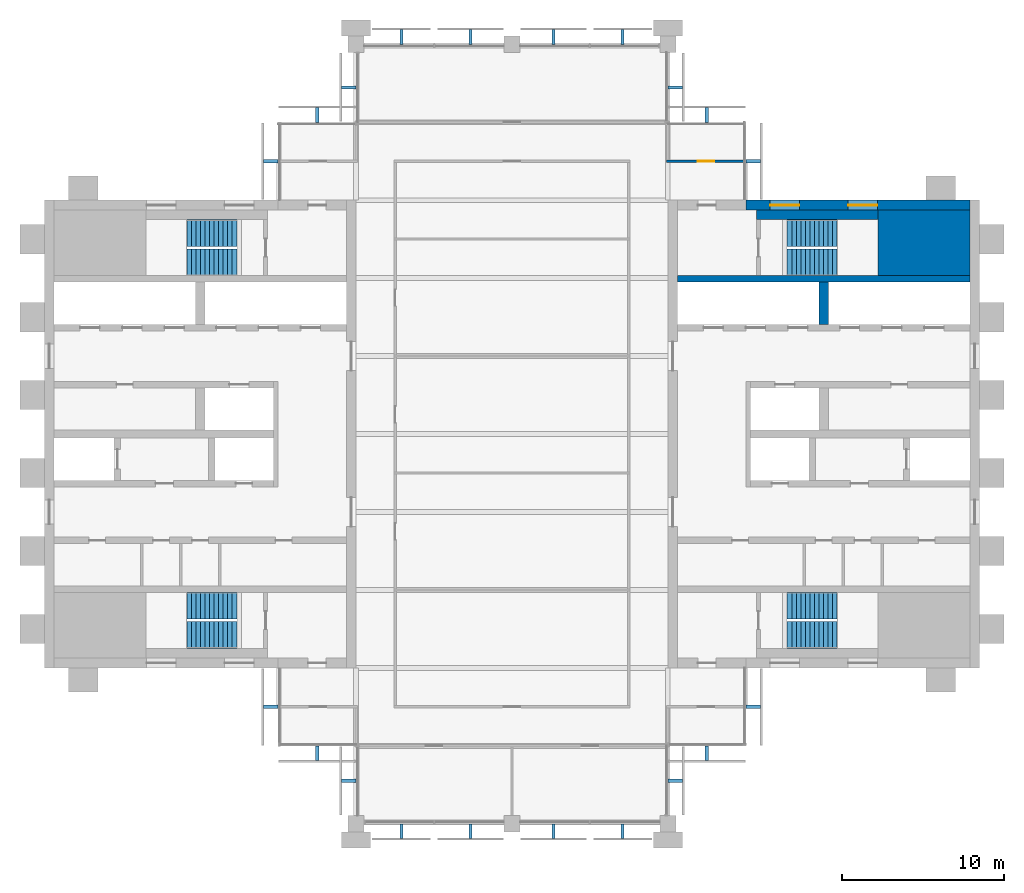
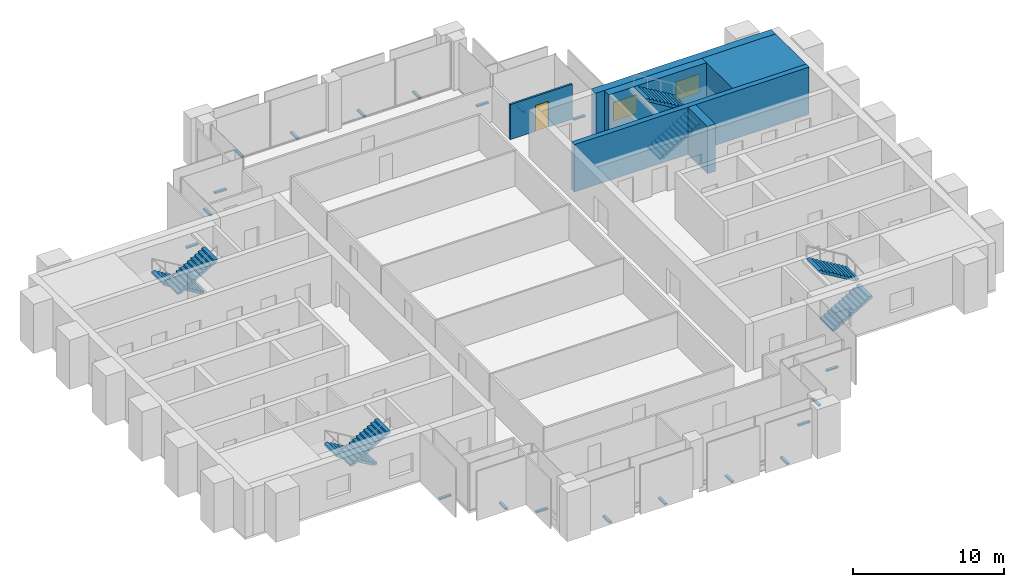
# One storey, part 11 of 12: 20 discrete accessories, 8 stair flights, 6 walls, 2 windows, 1 door, 3 openings, 4 elements without a shape of their own.
"""IFC4 building model written with IfcOpenShell, lengths in metres."""

from ifc_helpers import new_model, si_unit, direction, frame, frame_2d, origin, origin_2d, place, context, subcontext, project, spatial, polyline, rectangle, outline, extrude, material, layer, layer_set, type_object, element, fill, aggregate, save


model = new_model("IFC4")

# Units and contexts
model_context = context("Model", 3, precision=1e-05, world=origin(), true_north=direction((0.0, 1.0)))
body_context = subcontext(model_context, "Body", "Model", "MODEL_VIEW")
ifc_project = project(units=[si_unit("LENGTHUNIT", "METRE"), si_unit("AREAUNIT", "SQUARE_METRE"), si_unit("VOLUMEUNIT", "CUBIC_METRE"), si_unit("PLANEANGLEUNIT", "RADIAN"), si_unit("MASSUNIT", "GRAM", prefix="KILO")], contexts=[model_context])

# Site, building, storey
site_placement = place(None, origin())
site = spatial("IfcSite", under=ifc_project, at=site_placement, CompositionType="ELEMENT")
building_placement = place(site_placement, origin())
building = spatial("IfcBuilding", under=site, at=building_placement, Name="Baori Bourse Tower", CompositionType="ELEMENT")
storey_placement = place(building_placement, frame((0.0, 0.0, 322.300048828125)))
storey = spatial("IfcBuildingStorey", under=building, at=storey_placement, Name="L71", CompositionType="ELEMENT", Elevation=322.300048828125)

# Wall
ifc_material_1 = material(Name="Concrete f'c 40 MPa", Category="concrete")
wall_type_1 = type_object("IfcWallType", Name="Core corner block f'c 40", PredefinedType="SHEAR", material=ifc_material_1)
wall_1_placement = place(storey_placement, frame((51.35009765625, 35.77490234375, 0.0), z_axis=(0.0, 0.0, 1.0), x_axis=(1.0, 0.0, 0.0)))
element("IfcWall", 1, at=wall_1_placement, inside=storey, type_object=wall_type_1, Name="Core wall E23", PredefinedType="SHEAR", context=body_context, shape_type="SweptSolid", body=[
    extrude(rectangle(XDim=5.64990234375, YDim=4.050048828125, at=frame_2d((2.824951171875, 0.0))), origin(), (0.0, 0.0, 1.0), 3.83984375),
])

# Wall, openings, windows
ifc_material_2 = material(Name="Concrete f'c 40 MPa", Category="concrete")
ifc_layer_1 = layer(ifc_material_2, 0.60009765625)
ifc_layer_set_1 = layer_set([ifc_layer_1], Name="Core wall 600 f'c 40")
wall_type_2 = type_object("IfcWallType", Name="Core wall 600 f'c 40", PredefinedType="SHEAR", material=ifc_layer_set_1)
wall_2_placement = place(storey_placement, frame((43.199951171875, 38.10009765625, 0.0), z_axis=(0.0, 0.0, 1.0), x_axis=(1.0, 0.0, 0.0)))
wall_2 = element("IfcWall", 2, at=wall_2_placement, inside=storey, type_object=wall_type_2, Name="Core wall E26", PredefinedType="SHEAR", context=body_context, shape_type="SweptSolid", body=[
    extrude(rectangle(XDim=13.800048828125, YDim=0.60009765625, at=frame_2d((6.89990234375, 0.0))), origin(), (0.0, 0.0, 1.0), 3.83984375),
])
opening_1_placement = place(wall_2_placement, frame((6.300048828125, 0.0, 0.89990234375)))
opening_1 = element("IfcOpeningElement", 3, at=opening_1_placement, cuts=wall_2, Name="Opening L71-KW205", PredefinedType="OPENING", context=body_context, shape_type="SweptSolid", body=[
    extrude(rectangle(XDim=1.800048828125, YDim=1.5, at=frame_2d((0.89990234375, 0.75))), frame((0.0, 0.31005859375, 0.0), z_axis=(0.0, -1.0, 0.0), x_axis=(1.0, 0.0, 0.0)), (0.0, 0.0, 1.0), 0.6201171875),
])
opening_2_placement = place(wall_2_placement, frame((1.5, 0.0, 0.89990234375)))
opening_2 = element("IfcOpeningElement", 4, at=opening_2_placement, cuts=wall_2, Name="Opening L71-KW206", PredefinedType="OPENING", context=body_context, shape_type="SweptSolid", body=[
    extrude(rectangle(XDim=1.800048828125, YDim=1.5, at=frame_2d((0.89990234375, 0.75))), frame((0.0, 0.31005859375, 0.0), z_axis=(0.0, -1.0, 0.0), x_axis=(1.0, 0.0, 0.0)), (0.0, 0.0, 1.0), 0.6201171875),
])
ifc_material_3 = material(Name="Pale anodised aluminium", Category="aluminium")
window_type = type_object("IfcWindowType", Name="Stair window 1800 x 1500", PartitioningType="SINGLE_PANEL", PredefinedType="WINDOW", material=ifc_material_3)
window_1_placement = place(opening_1_placement, origin())
window_1 = element("IfcWindow", 5, at=window_1_placement, inside=storey, type_object=window_type, Name="Stair window E L71 5", OverallHeight=1.5, OverallWidth=1.800048828125, PartitioningType="SINGLE_PANEL", PredefinedType="WINDOW", context=body_context, shape_type="SweptSolid", body=[
    extrude(rectangle(XDim=1.800048828125, YDim=1.5, at=frame_2d((0.89990234375, 0.75))), frame((0.0, 0.030029296875, 0.0), z_axis=(0.0, -1.0, 0.0), x_axis=(1.0, 0.0, 0.0)), (0.0, 0.0, 1.0), 0.06005859375),
])
fill(opening_1, window_1)
window_2_placement = place(opening_2_placement, origin())
window_2 = element("IfcWindow", 6, at=window_2_placement, inside=storey, type_object=window_type, Name="Stair window E L71 6", OverallHeight=1.5, OverallWidth=1.800048828125, PartitioningType="SINGLE_PANEL", PredefinedType="WINDOW", context=body_context, shape_type="SweptSolid", body=[
    extrude(rectangle(XDim=1.800048828125, YDim=1.5, at=frame_2d((0.89990234375, 0.75))), frame((0.0, 0.030029296875, 0.0), z_axis=(0.0, -1.0, 0.0), x_axis=(1.0, 0.0, 0.0)), (0.0, 0.0, 1.0), 0.06005859375),
])
fill(opening_2, window_2)

# Wall, opening, door
ifc_material_4 = material(Name="Gypsum board partition")
ifc_layer_2 = layer(ifc_material_4, 0.14990234375)
ifc_layer_set_2 = layer_set([ifc_layer_2], Name="Corridor partition 150")
wall_type_3 = type_object("IfcWallType", Name="Corridor partition 150", PredefinedType="PARTITIONING", material=ifc_layer_set_2)
wall_3_placement = place(storey_placement, frame((38.324951171875, 40.800048828125, 0.0), z_axis=(0.0, 0.0, 1.0), x_axis=(1.0, 0.0, 0.0)))
wall_3 = element("IfcWall", 7, at=wall_3_placement, inside=storey, type_object=wall_type_3, Name="Partition", PredefinedType="PARTITIONING", context=body_context, shape_type="SweptSolid", body=[
    extrude(rectangle(XDim=4.775146484375, YDim=0.14990234375, at=frame_2d((2.3876953125, 0.0))), origin(), (0.0, 0.0, 1.0), 2.849365234375),
])
opening_3_placement = place(wall_3_placement, frame((1.925048828125, 0.0, 0.0)))
opening_3 = element("IfcOpeningElement", 8, at=opening_3_placement, cuts=wall_3, Name="Opening L71-D08", PredefinedType="OPENING", context=body_context, shape_type="SweptSolid", body=[
    extrude(rectangle(XDim=1.0, YDim=2.10009765625, at=frame_2d((0.5, 1.050048828125))), frame((0.0, 0.0849609375, 0.0), z_axis=(0.0, -1.0, 0.0), x_axis=(1.0, 0.0, 0.0)), (0.0, 0.0, 1.0), 0.169921875),
])
ifc_material_5 = material(Name="Timber door leaf", Category="wood")
door_type = type_object("IfcDoorType", Name="Door 1000 x 2100", OperationType="SINGLE_SWING_LEFT", PredefinedType="DOOR", material=ifc_material_5)
door_placement = place(opening_3_placement, origin())
door = element("IfcDoor", 9, at=door_placement, inside=storey, type_object=door_type, Name="Door", OperationType="SINGLE_SWING_LEFT", OverallHeight=2.10009765625, OverallWidth=1.0, PredefinedType="DOOR", context=body_context, shape_type="SweptSolid", body=[
    extrude(rectangle(XDim=1.0, YDim=2.10009765625, at=frame_2d((0.5, 1.050048828125))), frame((0.0, 0.02490234375, 0.0), z_axis=(0.0, -1.0, 0.0), x_axis=(1.0, 0.0, 0.0)), (0.0, 0.0, 1.0), 0.050048828125),
])
fill(opening_3, door)

# Walls
ifc_material_6 = material(Name="Concrete f'c 40 MPa", Category="concrete")
ifc_layer_3 = layer(ifc_material_6, 0.39990234375)
ifc_layer_set_3 = layer_set([ifc_layer_3], Name="Shaft wall 400 f'c 40")
wall_type_4 = type_object("IfcWallType", Name="Shaft wall 400 f'c 40", PredefinedType="SHEAR", material=ifc_layer_set_3)
wall_4_placement = place(storey_placement, frame((39.0, 33.550048828125, 0.0), z_axis=(0.0, 0.0, 1.0), x_axis=(1.0, 0.0, 0.0)))
element("IfcWall", 10, at=wall_4_placement, inside=storey, type_object=wall_type_4, Name="Core wall E22", PredefinedType="SHEAR", context=body_context, shape_type="SweptSolid", body=[
    extrude(rectangle(XDim=18.0, YDim=0.39990234375, at=frame_2d((9.0, 0.0))), origin(), (0.0, 0.0, 1.0), 3.83984375),
])
ifc_material_7 = material(Name="Concrete f'c 40 MPa", Category="concrete")
ifc_layer_4 = layer(ifc_material_7, 0.60009765625)
ifc_layer_set_4 = layer_set([ifc_layer_4], Name="Shaft wall 600 f'c 40")
wall_type_5 = type_object("IfcWallType", Name="Shaft wall 600 f'c 40", PredefinedType="SHEAR", material=ifc_layer_set_4)
wall_5_placement = place(storey_placement, frame((48.0, 30.75, 0.0), z_axis=(0.0, 0.0, 1.0), x_axis=(0.0, 1.0, 0.0)))
element("IfcWall", 11, at=wall_5_placement, inside=storey, type_object=wall_type_5, Name="Core wall E21", PredefinedType="SHEAR", context=body_context, shape_type="SweptSolid", body=[
    extrude(rectangle(XDim=2.60009765625, YDim=0.60009765625, at=frame_2d((1.300048828125, 0.0))), origin(), (0.0, 0.0, 1.0), 3.83984375),
])
wall_6_placement = place(storey_placement, frame((43.85009765625, 37.5, 0.0), z_axis=(0.0, 0.0, 1.0), x_axis=(1.0, 0.0, 0.0)))
element("IfcWall", 12, at=wall_6_placement, inside=storey, type_object=wall_type_5, Name="Core wall E25", PredefinedType="SHEAR", context=body_context, shape_type="SweptSolid", body=[
    extrude(rectangle(XDim=7.5, YDim=0.60009765625, at=frame_2d((3.75, 0.0))), origin(), (0.0, 0.0, 1.0), 3.83984375),
])

# Stair, stair flights
ifc_material_8 = material(Name="Concrete f'c 50 MPa", Category="concrete")
stair_type = type_object("IfcStairType", Name="Core stair", PredefinedType="HALF_TURN_STAIR", material=ifc_material_8)
stair_1_placement = place(storey_placement, origin())
stair_1 = element("IfcStair", 13, at=stair_1_placement, inside=storey, type_object=stair_type, Name="L71 Stair WA", PredefinedType="HALF_TURN_STAIR")
ifc_material_9 = material(Name="Concrete f'c 50 MPa", Category="concrete")
stair_flight_type = type_object("IfcStairFlightType", Name="Core stair flight", PredefinedType="STRAIGHT", material=ifc_material_9)
stair_flight_1_placement = place(storey_placement, frame((11.85009765625, 13.425048828125, 0.0), z_axis=(0.0, 0.0, 1.0), x_axis=(-1.0, 0.0, 0.0)))
stair_flight_1 = element("IfcStairFlight", 14, at=stair_flight_1_placement, type_object=stair_flight_type, Name="ST1 flight 1", NumberOfRisers=12, NumberOfTreads=11, PredefinedType="STRAIGHT", RiserHeight=0.166666667, TreadLength=0.28, context=body_context, shape_type="SweptSolid", body=[
    extrude(outline(polyline([(0.0, 0.0), (0.0, 0.166748046875), (0.280029296875, 0.166748046875), (0.280029296875, 0.333251953125), (0.56005859375, 0.333251953125), (0.56005859375, 0.5), (0.840087890625, 0.5), (0.840087890625, 0.666748046875), (1.1201171875, 0.666748046875), (1.1201171875, 0.833251953125), (1.39990234375, 0.833251953125), (1.39990234375, 1.0), (1.679931640625, 1.0), (1.679931640625, 1.166748046875), (1.9599609375, 1.166748046875), (1.9599609375, 1.333251953125), (2.239990234375, 1.333251953125), (2.239990234375, 1.5), (2.52001953125, 1.5), (2.52001953125, 1.666748046875), (2.800048828125, 1.666748046875), (2.800048828125, 1.833251953125), (3.080078125, 1.833251953125), (3.080078125, 2.0), (3.080078125, 1.658935546875), (0.29296875, 0.0), (0.0, 0.0)])), frame((0.0, 0.824951171875, 0.0), z_axis=(0.0, -1.0, 0.0), x_axis=(1.0, 0.0, 0.0)), (0.0, 0.0, 1.0), 1.64990234375),
])
stair_flight_2_placement = place(storey_placement, frame((8.77001953125, 11.625, 2.0), z_axis=(0.0, 0.0, 1.0), x_axis=(1.0, 0.0, 0.0)))
stair_flight_2 = element("IfcStairFlight", 15, at=stair_flight_2_placement, type_object=stair_flight_type, Name="ST1 flight 2", NumberOfRisers=12, NumberOfTreads=11, PredefinedType="STRAIGHT", RiserHeight=0.166666667, TreadLength=0.28, context=body_context, shape_type="SweptSolid", body=[
    extrude(outline(polyline([(0.0, 0.0), (0.0, 0.166748046875), (0.280029296875, 0.166748046875), (0.280029296875, 0.333251953125), (0.56005859375, 0.333251953125), (0.56005859375, 0.5), (0.840087890625, 0.5), (0.840087890625, 0.666748046875), (1.1201171875, 0.666748046875), (1.1201171875, 0.833251953125), (1.39990234375, 0.833251953125), (1.39990234375, 1.0), (1.679931640625, 1.0), (1.679931640625, 1.166748046875), (1.9599609375, 1.166748046875), (1.9599609375, 1.333251953125), (2.239990234375, 1.333251953125), (2.239990234375, 1.5), (2.52001953125, 1.5), (2.52001953125, 1.666748046875), (2.800048828125, 1.666748046875), (2.800048828125, 1.833251953125), (3.080078125, 1.833251953125), (3.080078125, 2.0), (3.080078125, 1.658935546875), (0.29296875, 0.0), (0.0, 0.0)])), frame((0.0, 0.824951171875, 0.0), z_axis=(0.0, -1.0, 0.0), x_axis=(1.0, 0.0, 0.0)), (0.0, 0.0, 1.0), 1.64990234375),
])
aggregate(stair_1, [stair_flight_1, stair_flight_2])

stair_2_placement = place(storey_placement, origin())
stair_2 = element("IfcStair", 16, at=stair_2_placement, inside=storey, type_object=stair_type, Name="L71 Stair WB", PredefinedType="HALF_TURN_STAIR")
stair_flight_3_placement = place(storey_placement, frame((11.85009765625, 36.375, 0.0), z_axis=(0.0, 0.0, 1.0), x_axis=(-1.0, 0.0, 0.0)))
stair_flight_3 = element("IfcStairFlight", 17, at=stair_flight_3_placement, type_object=stair_flight_type, Name="ST2 flight 1", NumberOfRisers=12, NumberOfTreads=11, PredefinedType="STRAIGHT", RiserHeight=0.166666667, TreadLength=0.28, context=body_context, shape_type="SweptSolid", body=[
    extrude(outline(polyline([(0.0, 0.0), (0.0, 0.166748046875), (0.280029296875, 0.166748046875), (0.280029296875, 0.333251953125), (0.56005859375, 0.333251953125), (0.56005859375, 0.5), (0.840087890625, 0.5), (0.840087890625, 0.666748046875), (1.1201171875, 0.666748046875), (1.1201171875, 0.833251953125), (1.39990234375, 0.833251953125), (1.39990234375, 1.0), (1.679931640625, 1.0), (1.679931640625, 1.166748046875), (1.9599609375, 1.166748046875), (1.9599609375, 1.333251953125), (2.239990234375, 1.333251953125), (2.239990234375, 1.5), (2.52001953125, 1.5), (2.52001953125, 1.666748046875), (2.800048828125, 1.666748046875), (2.800048828125, 1.833251953125), (3.080078125, 1.833251953125), (3.080078125, 2.0), (3.080078125, 1.658935546875), (0.29296875, 0.0), (0.0, 0.0)])), frame((0.0, 0.824951171875, 0.0), z_axis=(0.0, -1.0, 0.0), x_axis=(1.0, 0.0, 0.0)), (0.0, 0.0, 1.0), 1.64990234375),
])
stair_flight_4_placement = place(storey_placement, frame((8.77001953125, 34.574951171875, 2.0), z_axis=(0.0, 0.0, 1.0), x_axis=(1.0, 0.0, 0.0)))
stair_flight_4 = element("IfcStairFlight", 18, at=stair_flight_4_placement, type_object=stair_flight_type, Name="ST2 flight 2", NumberOfRisers=12, NumberOfTreads=11, PredefinedType="STRAIGHT", RiserHeight=0.166666667, TreadLength=0.28, context=body_context, shape_type="SweptSolid", body=[
    extrude(outline(polyline([(0.0, 0.0), (0.0, 0.166748046875), (0.280029296875, 0.166748046875), (0.280029296875, 0.333251953125), (0.56005859375, 0.333251953125), (0.56005859375, 0.5), (0.840087890625, 0.5), (0.840087890625, 0.666748046875), (1.1201171875, 0.666748046875), (1.1201171875, 0.833251953125), (1.39990234375, 0.833251953125), (1.39990234375, 1.0), (1.679931640625, 1.0), (1.679931640625, 1.166748046875), (1.9599609375, 1.166748046875), (1.9599609375, 1.333251953125), (2.239990234375, 1.333251953125), (2.239990234375, 1.5), (2.52001953125, 1.5), (2.52001953125, 1.666748046875), (2.800048828125, 1.666748046875), (2.800048828125, 1.833251953125), (3.080078125, 1.833251953125), (3.080078125, 2.0), (3.080078125, 1.658935546875), (0.29296875, 0.0), (0.0, 0.0)])), frame((0.0, 0.824951171875, 0.0), z_axis=(0.0, -1.0, 0.0), x_axis=(1.0, 0.0, 0.0)), (0.0, 0.0, 1.0), 1.64990234375),
])
aggregate(stair_2, [stair_flight_3, stair_flight_4])

stair_3_placement = place(storey_placement, origin())
stair_3 = element("IfcStair", 19, at=stair_3_placement, inside=storey, type_object=stair_type, Name="L71 Stair EA", PredefinedType="HALF_TURN_STAIR")
stair_flight_5_placement = place(storey_placement, frame((45.75, 11.625, 0.0), z_axis=(0.0, 0.0, 1.0), x_axis=(1.0, 0.0, 0.0)))
stair_flight_5 = element("IfcStairFlight", 20, at=stair_flight_5_placement, type_object=stair_flight_type, Name="ST3 flight 1", NumberOfRisers=12, NumberOfTreads=11, PredefinedType="STRAIGHT", RiserHeight=0.166666667, TreadLength=0.28, context=body_context, shape_type="SweptSolid", body=[
    extrude(outline(polyline([(0.0, 0.0), (0.0, 0.166748046875), (0.280029296875, 0.166748046875), (0.280029296875, 0.333251953125), (0.56005859375, 0.333251953125), (0.56005859375, 0.5), (0.840087890625, 0.5), (0.840087890625, 0.666748046875), (1.1201171875, 0.666748046875), (1.1201171875, 0.833251953125), (1.39990234375, 0.833251953125), (1.39990234375, 1.0), (1.679931640625, 1.0), (1.679931640625, 1.166748046875), (1.9599609375, 1.166748046875), (1.9599609375, 1.333251953125), (2.239990234375, 1.333251953125), (2.239990234375, 1.5), (2.52001953125, 1.5), (2.52001953125, 1.666748046875), (2.800048828125, 1.666748046875), (2.800048828125, 1.833251953125), (3.080078125, 1.833251953125), (3.080078125, 2.0), (3.080078125, 1.658935546875), (0.29296875, 0.0), (0.0, 0.0)])), frame((0.0, 0.824951171875, 0.0), z_axis=(0.0, -1.0, 0.0), x_axis=(1.0, 0.0, 0.0)), (0.0, 0.0, 1.0), 1.64990234375),
])
stair_flight_6_placement = place(storey_placement, frame((48.830078125, 13.425048828125, 2.0), z_axis=(0.0, 0.0, 1.0), x_axis=(-1.0, 0.0, 0.0)))
stair_flight_6 = element("IfcStairFlight", 21, at=stair_flight_6_placement, type_object=stair_flight_type, Name="ST3 flight 2", NumberOfRisers=12, NumberOfTreads=11, PredefinedType="STRAIGHT", RiserHeight=0.166666667, TreadLength=0.28, context=body_context, shape_type="SweptSolid", body=[
    extrude(outline(polyline([(0.0, 0.0), (0.0, 0.166748046875), (0.280029296875, 0.166748046875), (0.280029296875, 0.333251953125), (0.56005859375, 0.333251953125), (0.56005859375, 0.5), (0.840087890625, 0.5), (0.840087890625, 0.666748046875), (1.1201171875, 0.666748046875), (1.1201171875, 0.833251953125), (1.39990234375, 0.833251953125), (1.39990234375, 1.0), (1.679931640625, 1.0), (1.679931640625, 1.166748046875), (1.9599609375, 1.166748046875), (1.9599609375, 1.333251953125), (2.239990234375, 1.333251953125), (2.239990234375, 1.5), (2.52001953125, 1.5), (2.52001953125, 1.666748046875), (2.800048828125, 1.666748046875), (2.800048828125, 1.833251953125), (3.080078125, 1.833251953125), (3.080078125, 2.0), (3.080078125, 1.658935546875), (0.29296875, 0.0), (0.0, 0.0)])), frame((0.0, 0.824951171875, 0.0), z_axis=(0.0, -1.0, 0.0), x_axis=(1.0, 0.0, 0.0)), (0.0, 0.0, 1.0), 1.64990234375),
])
aggregate(stair_3, [stair_flight_5, stair_flight_6])

stair_4_placement = place(storey_placement, origin())
stair_4 = element("IfcStair", 22, at=stair_4_placement, inside=storey, type_object=stair_type, Name="L71 Stair EB", PredefinedType="HALF_TURN_STAIR")
stair_flight_7_placement = place(storey_placement, frame((45.75, 34.574951171875, 0.0), z_axis=(0.0, 0.0, 1.0), x_axis=(1.0, 0.0, 0.0)))
stair_flight_7 = element("IfcStairFlight", 23, at=stair_flight_7_placement, type_object=stair_flight_type, Name="ST4 flight 1", NumberOfRisers=12, NumberOfTreads=11, PredefinedType="STRAIGHT", RiserHeight=0.166666667, TreadLength=0.28, context=body_context, shape_type="SweptSolid", body=[
    extrude(outline(polyline([(0.0, 0.0), (0.0, 0.166748046875), (0.280029296875, 0.166748046875), (0.280029296875, 0.333251953125), (0.56005859375, 0.333251953125), (0.56005859375, 0.5), (0.840087890625, 0.5), (0.840087890625, 0.666748046875), (1.1201171875, 0.666748046875), (1.1201171875, 0.833251953125), (1.39990234375, 0.833251953125), (1.39990234375, 1.0), (1.679931640625, 1.0), (1.679931640625, 1.166748046875), (1.9599609375, 1.166748046875), (1.9599609375, 1.333251953125), (2.239990234375, 1.333251953125), (2.239990234375, 1.5), (2.52001953125, 1.5), (2.52001953125, 1.666748046875), (2.800048828125, 1.666748046875), (2.800048828125, 1.833251953125), (3.080078125, 1.833251953125), (3.080078125, 2.0), (3.080078125, 1.658935546875), (0.29296875, 0.0), (0.0, 0.0)])), frame((0.0, 0.824951171875, 0.0), z_axis=(0.0, -1.0, 0.0), x_axis=(1.0, 0.0, 0.0)), (0.0, 0.0, 1.0), 1.64990234375),
])
stair_flight_8_placement = place(storey_placement, frame((48.830078125, 36.375, 2.0), z_axis=(0.0, 0.0, 1.0), x_axis=(-1.0, 0.0, 0.0)))
stair_flight_8 = element("IfcStairFlight", 24, at=stair_flight_8_placement, type_object=stair_flight_type, Name="ST4 flight 2", NumberOfRisers=12, NumberOfTreads=11, PredefinedType="STRAIGHT", RiserHeight=0.166666667, TreadLength=0.28, context=body_context, shape_type="SweptSolid", body=[
    extrude(outline(polyline([(0.0, 0.0), (0.0, 0.166748046875), (0.280029296875, 0.166748046875), (0.280029296875, 0.333251953125), (0.56005859375, 0.333251953125), (0.56005859375, 0.5), (0.840087890625, 0.5), (0.840087890625, 0.666748046875), (1.1201171875, 0.666748046875), (1.1201171875, 0.833251953125), (1.39990234375, 0.833251953125), (1.39990234375, 1.0), (1.679931640625, 1.0), (1.679931640625, 1.166748046875), (1.9599609375, 1.166748046875), (1.9599609375, 1.333251953125), (2.239990234375, 1.333251953125), (2.239990234375, 1.5), (2.52001953125, 1.5), (2.52001953125, 1.666748046875), (2.800048828125, 1.666748046875), (2.800048828125, 1.833251953125), (3.080078125, 1.833251953125), (3.080078125, 2.0), (3.080078125, 1.658935546875), (0.29296875, 0.0), (0.0, 0.0)])), frame((0.0, 0.824951171875, 0.0), z_axis=(0.0, -1.0, 0.0), x_axis=(1.0, 0.0, 0.0)), (0.0, 0.0, 1.0), 1.64990234375),
])
aggregate(stair_4, [stair_flight_7, stair_flight_8])

# Discrete accessories
ifc_material_10 = material(Name="Pale anodised aluminium", Category="aluminium")
discrete_accessory_type = type_object("IfcDiscreteAccessoryType", Name="OS2 Outer skin bracket", PredefinedType="BRACKET", material=ifc_material_10)
for number, where, z_axis, x_axis, name in (
    (25, (43.64990234375, 40.800048828125, -0.14404296875), (0.0, 0.0, 1.0), (0.0, 1.0, 0.0), "Outer skin bracket L71 1"),
    (26, (40.800048828125, 43.64990234375, -0.14404296875), (0.0, 0.0, 1.0), (-1.0, 0.0, 0.0), "Outer skin bracket L71 2"),
    (27, (38.85009765625, 45.35009765625, -0.14404296875), (0.0, 0.0, 1.0), (0.0, 1.0, 0.0), "Outer skin bracket L71 3"),
    (28, (35.612548828125, 48.449951171875, -0.14404296875), (0.0, 0.0, 1.0), (-1.0, 0.0, 0.0), "Outer skin bracket L71 4"),
    (29, (31.362548828125, 48.449951171875, -0.14404296875), (0.0, 0.0, 1.0), (-1.0, 0.0, 0.0), "Outer skin bracket L71 5"),
    (30, (26.237548828125, 48.449951171875, -0.14404296875), (0.0, 0.0, 1.0), (-1.0, 0.0, 0.0), "Outer skin bracket L71 6"),
    (31, (21.987548828125, 48.449951171875, -0.14404296875), (0.0, 0.0, 1.0), (-1.0, 0.0, 0.0), "Outer skin bracket L71 7"),
    (32, (18.75, 45.35009765625, -0.14404296875), (0.0, 0.0, 1.0), (0.0, -1.0, 0.0), "Outer skin bracket L71 8"),
    (33, (16.800048828125, 43.64990234375, -0.14404296875), (0.0, 0.0, 1.0), (-1.0, 0.0, 0.0), "Outer skin bracket L71 9"),
    (34, (13.949951171875, 40.800048828125, -0.14404296875), (0.0, 0.0, 1.0), (0.0, -1.0, 0.0), "Outer skin bracket L71 10"),
    (35, (13.949951171875, 7.199951171875, -0.14404296875), (0.0, 0.0, 1.0), (0.0, -1.0, 0.0), "Outer skin bracket L71 11"),
    (36, (16.800048828125, 4.35009765625, -0.14404296875), (0.0, 0.0, 1.0), (1.0, 0.0, 0.0), "Outer skin bracket L71 12"),
    (37, (18.75, 2.64990234375, -0.14404296875), (0.0, 0.0, 1.0), (0.0, -1.0, 0.0), "Outer skin bracket L71 13"),
    (38, (21.987548828125, -0.449951171875, -0.14404296875), (0.0, 0.0, 1.0), (1.0, 0.0, 0.0), "Outer skin bracket L71 14"),
    (39, (26.237548828125, -0.449951171875, -0.14404296875), (0.0, 0.0, 1.0), (1.0, 0.0, 0.0), "Outer skin bracket L71 15"),
    (40, (31.362548828125, -0.449951171875, -0.14404296875), (0.0, 0.0, 1.0), (1.0, 0.0, 0.0), "Outer skin bracket L71 16"),
    (41, (35.612548828125, -0.449951171875, -0.14404296875), (0.0, 0.0, 1.0), (1.0, 0.0, 0.0), "Outer skin bracket L71 17"),
    (42, (38.85009765625, 2.64990234375, -0.14404296875), (0.0, 0.0, 1.0), (0.0, 1.0, 0.0), "Outer skin bracket L71 18"),
    (43, (40.800048828125, 4.35009765625, -0.14404296875), (0.0, 0.0, 1.0), (1.0, 0.0, 0.0), "Outer skin bracket L71 19"),
    (44, (43.64990234375, 7.199951171875, -0.14404296875), (0.0, 0.0, 1.0), (0.0, 1.0, 0.0), "Outer skin bracket L71 20"),
):
    element("IfcDiscreteAccessory", number, at=place(storey_placement, frame(where, z_axis=z_axis, x_axis=x_axis)), inside=storey, type_object=discrete_accessory_type, Name=name, PredefinedType="BRACKET", context=body_context, shape_type="SweptSolid", body=[
        extrude(rectangle(XDim=0.199951171875, YDim=0.89990234375, at=origin_2d()), origin(), (0.0, 0.0, 1.0), 0.1279296875),
    ])

save(model, "model.ifc")
